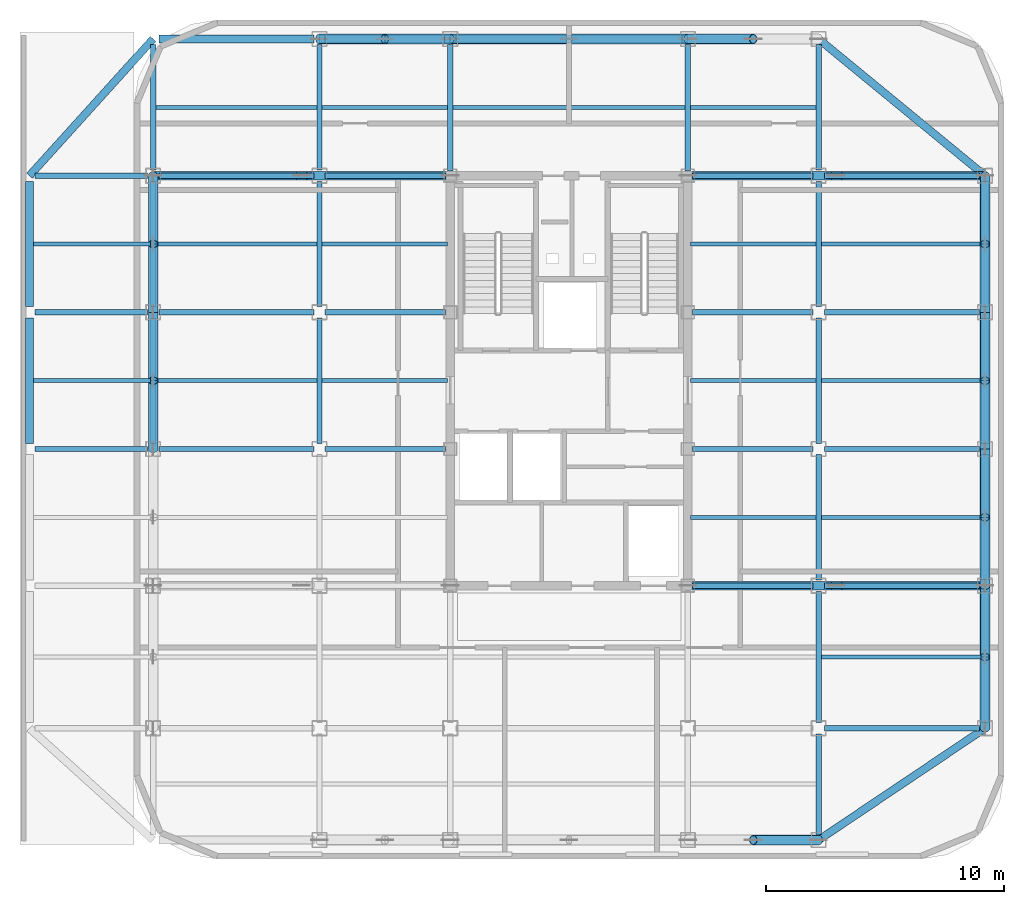
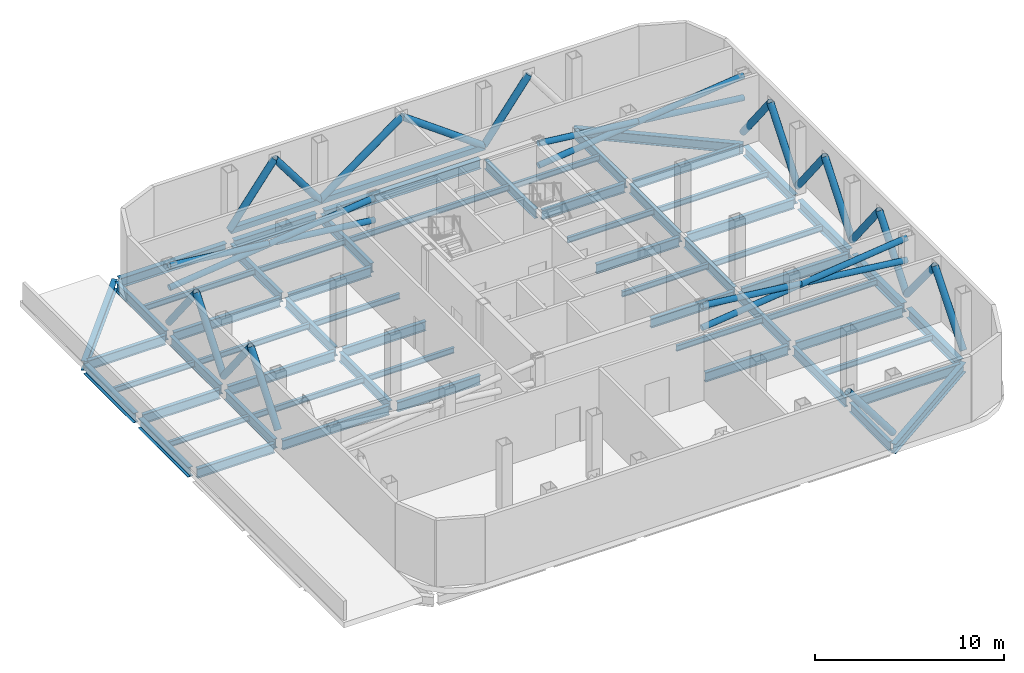
# One storey, part 2 of 7: 61 beams, 29 members.
"""IFC4 building model written with IfcOpenShell, lengths in metres."""

from ifc_helpers import new_model, si_unit, direction, frame, origin, origin_2d, place, context, subcontext, project, spatial, hollow_rectangle, hollow_circle, i_section, extrude, source, transform, mapped, material, material_profile, profile_set, type_object, element, save


model = new_model("IFC4")

# Units and contexts
model_context = context("Model", 3, precision=1e-05, world=origin(), true_north=direction((0.0, 1.0)))
body_context = subcontext(model_context, "Body", "Model", "MODEL_VIEW")
ifc_project = project(units=[si_unit("LENGTHUNIT", "METRE"), si_unit("AREAUNIT", "SQUARE_METRE"), si_unit("VOLUMEUNIT", "CUBIC_METRE"), si_unit("PLANEANGLEUNIT", "RADIAN"), si_unit("MASSUNIT", "GRAM", prefix="KILO")], contexts=[model_context])

# Site, building, storey
site_placement = place(None, origin())
site = spatial("IfcSite", under=ifc_project, at=site_placement, CompositionType="ELEMENT")
building_placement = place(site_placement, origin())
building = spatial("IfcBuilding", under=site, at=building_placement, Name="Kolveth Station Tower", CompositionType="ELEMENT")
storey_placement = place(building_placement, frame((0.0, 0.0, 215.60009765625)))
storey = spatial("IfcBuildingStorey", under=building, at=storey_placement, Name="L61", CompositionType="ELEMENT", Elevation=215.60009765625)

# Beams
ifc_material = material(Name="Steel S355", Category="steel")
ifc_material_profile_1 = material_profile(ifc_material, i_section(OverallWidth=0.323974609375, OverallDepth=0.611083984375, WebThickness=0.0126953125, FlangeThickness=0.01904296875, at=origin_2d()), Name="W610x155")
ifc_profile_set_1 = profile_set([ifc_material_profile_1], Name="Steel S355")
beam_type_1 = type_object("IfcBeamType", Name="Beam_SP2", PredefinedType="SPANDREL", material=ifc_profile_set_1)
shared_shape_1 = source(origin(), body_context, "Body", "SweptSolid", [
    extrude(i_section(OverallWidth=0.323974609375, OverallDepth=0.611083984375, WebThickness=0.0126953125, FlangeThickness=0.01904296875, at=origin_2d()), origin(), (0.0, 0.0, 1.0), 7.75244140625),
])
beam_1_placement = place(storey_placement, frame((6.0, 34.5, -0.66552734375), z_axis=(-0.670740965555, -0.74169168603, 0.0), x_axis=(0.74169168603, -0.670740965555, 0.0)))
element("IfcBeam", 1, at=beam_1_placement, inside=storey, type_object=beam_type_1, Name="L61 Corner Edge Girder BM-L61-CNR-NW", PredefinedType="SPANDREL", context=body_context, shape_type="MappedRepresentation", body=[
    mapped(shared_shape_1, transform((0.0, 0.0, 0.0), x_axis=(1.0, 0.0, 0.0), y_axis=(0.0, 1.0, 0.0), z_axis=(0.0, 0.0, 1.0), scale=1.0)),
])
shared_shape_2 = source(origin(), body_context, "Body", "SweptSolid", [
    extrude(i_section(OverallWidth=0.323974609375, OverallDepth=0.611083984375, WebThickness=0.0126953125, FlangeThickness=0.01904296875, at=origin_2d()), origin(), (0.0, 0.0, 1.0), 6.52001953125),
])
beam_2_placement = place(storey_placement, frame((6.239990234375, 34.5, -0.66552734375), z_axis=(1.0, 0.0, 0.0), x_axis=(0.0, 1.0, 0.0)))
element("IfcBeam", 2, at=beam_2_placement, inside=storey, type_object=beam_type_1, Name="L61 Perimeter Spandrel BM-L61-PN-1", PredefinedType="SPANDREL", context=body_context, shape_type="MappedRepresentation", body=[
    mapped(shared_shape_2, transform((0.0, 0.0, 0.0), x_axis=(1.0, 0.0, 0.0), y_axis=(0.0, 1.0, 0.0), z_axis=(0.0, 0.0, 1.0), scale=1.0)),
])
shared_shape_3 = source(origin(), body_context, "Body", "SweptSolid", [
    extrude(i_section(OverallWidth=0.323974609375, OverallDepth=0.611083984375, WebThickness=0.0126953125, FlangeThickness=0.01904296875, at=origin_2d()), origin(), (0.0, 0.0, 1.0), 5.02001953125),
])
beam_3_placement = place(storey_placement, frame((13.239990234375, 34.5, -0.66552734375), z_axis=(1.0, 0.0, 0.0), x_axis=(0.0, 1.0, 0.0)))
element("IfcBeam", 3, at=beam_3_placement, inside=storey, type_object=beam_type_1, Name="L61 Perimeter Spandrel BM-L61-PN-2", PredefinedType="SPANDREL", context=body_context, shape_type="MappedRepresentation", body=[
    mapped(shared_shape_3, transform((0.0, 0.0, 0.0), x_axis=(1.0, 0.0, 0.0), y_axis=(0.0, 1.0, 0.0), z_axis=(0.0, 0.0, 1.0), scale=1.0)),
])
shared_shape_4 = source(origin(), body_context, "Body", "SweptSolid", [
    extrude(i_section(OverallWidth=0.323974609375, OverallDepth=0.611083984375, WebThickness=0.0126953125, FlangeThickness=0.01904296875, at=origin_2d()), origin(), (0.0, 0.0, 1.0), 9.52001953125),
])
beam_4_placement = place(storey_placement, frame((18.739990234375, 34.5, -0.66552734375), z_axis=(1.0, 0.0, 0.0), x_axis=(0.0, 1.0, 0.0)))
element("IfcBeam", 4, at=beam_4_placement, inside=storey, type_object=beam_type_1, Name="L61 Perimeter Spandrel BM-L61-PN-3", PredefinedType="SPANDREL", context=body_context, shape_type="MappedRepresentation", body=[
    mapped(shared_shape_4, transform((0.0, 0.0, 0.0), x_axis=(1.0, 0.0, 0.0), y_axis=(0.0, 1.0, 0.0), z_axis=(0.0, 0.0, 1.0), scale=1.0)),
])
shared_shape_5 = source(origin(), body_context, "Body", "SweptSolid", [
    extrude(i_section(OverallWidth=0.323974609375, OverallDepth=0.611083984375, WebThickness=0.0126953125, FlangeThickness=0.01904296875, at=origin_2d()), origin(), (0.0, 0.0, 1.0), 5.52001953125),
])
beam_5_placement = place(storey_placement, frame((41.0, 5.739990234375, -0.66552734375), z_axis=(0.0, 1.0, 0.0), x_axis=(-1.0, 0.0, 0.0)))
element("IfcBeam", 5, at=beam_5_placement, inside=storey, type_object=beam_type_1, Name="L61 Perimeter Spandrel BM-L61-PE-1", PredefinedType="SPANDREL", context=body_context, shape_type="MappedRepresentation", body=[
    mapped(shared_shape_5, transform((0.0, 0.0, 0.0), x_axis=(1.0, 0.0, 0.0), y_axis=(0.0, 1.0, 0.0), z_axis=(0.0, 0.0, 1.0), scale=1.0)),
])
shared_shape_6 = source(origin(), body_context, "Body", "SweptSolid", [
    extrude(i_section(OverallWidth=0.323974609375, OverallDepth=0.611083984375, WebThickness=0.0126953125, FlangeThickness=0.01904296875, at=origin_2d()), origin(), (0.0, 0.0, 1.0), 5.27001953125),
])
for number, where, z_axis, x_axis, name in (
    (6, (0.800048828125, 17.489990234375, -0.66552734375), (0.0, 1.0, 0.0), (-1.0, 0.0, 0.0), "L61 Perimeter Spandrel BM-L61-PW-3"),
    (7, (0.800048828125, 23.239990234375, -0.66552734375), (0.0, 1.0, 0.0), (-1.0, 0.0, 0.0), "L61 Perimeter Spandrel BM-L61-PW-4"),
    (8, (41.0, 11.739990234375, -0.66552734375), (0.0, 1.0, 0.0), (-1.0, 0.0, 0.0), "L61 Perimeter Spandrel BM-L61-PE-2"),
    (9, (41.0, 17.489990234375, -0.66552734375), (0.0, 1.0, 0.0), (-1.0, 0.0, 0.0), "L61 Perimeter Spandrel BM-L61-PE-3"),
    (10, (41.0, 23.239990234375, -0.66552734375), (0.0, 1.0, 0.0), (-1.0, 0.0, 0.0), "L61 Perimeter Spandrel BM-L61-PE-4"),
):
    element("IfcBeam", number, at=place(storey_placement, frame(where, z_axis=z_axis, x_axis=x_axis)), inside=storey, type_object=beam_type_1, Name=name, PredefinedType="SPANDREL", context=body_context, shape_type="MappedRepresentation", body=[
        mapped(shared_shape_6, transform((0.0, 0.0, 0.0), x_axis=(1.0, 0.0, 0.0), y_axis=(0.0, 1.0, 0.0), z_axis=(0.0, 0.0, 1.0), scale=1.0)),
    ])
shared_shape_7 = source(origin(), body_context, "Body", "SweptSolid", [
    extrude(i_section(OverallWidth=0.323974609375, OverallDepth=0.611083984375, WebThickness=0.0126953125, FlangeThickness=0.01904296875, at=origin_2d()), origin(), (0.0, 0.0, 1.0), 8.431396484375),
])
beam_6_placement = place(storey_placement, frame((34.0, 0.800048828125, -0.66552734375), z_axis=(0.830223811004, 0.557430196206, 0.0), x_axis=(-0.557430196206, 0.830223811004, 0.0)))
element("IfcBeam", 11, at=beam_6_placement, inside=storey, type_object=beam_type_1, Name="L61 Corner Edge Girder BM-L61-CNR-SE", PredefinedType="SPANDREL", context=body_context, shape_type="MappedRepresentation", body=[
    mapped(shared_shape_7, transform((0.0, 0.0, 0.0), x_axis=(1.0, 0.0, 0.0), y_axis=(0.0, 1.0, 0.0), z_axis=(0.0, 0.0, 1.0), scale=1.0)),
])
shared_shape_8 = source(origin(), body_context, "Body", "SweptSolid", [
    extrude(i_section(OverallWidth=0.323974609375, OverallDepth=0.611083984375, WebThickness=0.0126953125, FlangeThickness=0.01904296875, at=origin_2d()), origin(), (0.0, 0.0, 1.0), 9.058837890625),
])
beam_7_placement = place(storey_placement, frame((41.0, 28.75, -0.66552734375), z_axis=(-0.772726254525, 0.63473942336, 0.0), x_axis=(-0.63473942336, -0.772726254525, 0.0)))
element("IfcBeam", 12, at=beam_7_placement, inside=storey, type_object=beam_type_1, Name="L61 Corner Edge Girder BM-L61-CNR-NE", PredefinedType="SPANDREL", context=body_context, shape_type="MappedRepresentation", body=[
    mapped(shared_shape_8, transform((0.0, 0.0, 0.0), x_axis=(1.0, 0.0, 0.0), y_axis=(0.0, 1.0, 0.0), z_axis=(0.0, 0.0, 1.0), scale=1.0)),
])
ifc_material_profile_2 = material_profile(ifc_material, i_section(OverallWidth=0.22900390625, OverallDepth=0.612060546875, WebThickness=0.011962890625, FlangeThickness=0.01953125, at=origin_2d()), Name="W610x125")
ifc_profile_set_2 = profile_set([ifc_material_profile_2], Name="Steel S355")
beam_type_2 = type_object("IfcBeamType", Name="Beam_B5", PredefinedType="BEAM", material=ifc_profile_set_2)
shared_shape_9 = source(origin(), body_context, "Body", "SweptSolid", [
    extrude(i_section(OverallWidth=0.22900390625, OverallDepth=0.612060546875, WebThickness=0.011962890625, FlangeThickness=0.01953125, at=origin_2d()), origin(), (0.0, 0.0, 1.0), 4.719970703125),
])
for number, where, z_axis, x_axis, name in (
    (13, (1.0400390625, 17.25, -0.666015625), (1.0, 0.0, 0.0), (0.0, 1.0, 0.0), "L61 Primary Girder BM-L61-GY172-1"),
    (14, (1.0400390625, 23.0, -0.666015625), (1.0, 0.0, 0.0), (0.0, 1.0, 0.0), "L61 Primary Girder BM-L61-GY230-1"),
    (15, (1.0400390625, 28.75, -0.666015625), (1.0, 0.0, 0.0), (0.0, 1.0, 0.0), "L61 Primary Girder BM-L61-GY287-1"),
):
    element("IfcBeam", number, at=place(storey_placement, frame(where, z_axis=z_axis, x_axis=x_axis)), inside=storey, type_object=beam_type_2, Name=name, PredefinedType="BEAM", context=body_context, shape_type="MappedRepresentation", body=[
        mapped(shared_shape_9, transform((0.0, 0.0, 0.0), x_axis=(1.0, 0.0, 0.0), y_axis=(0.0, 1.0, 0.0), z_axis=(0.0, 0.0, 1.0), scale=1.0)),
    ])
shared_shape_10 = source(origin(), body_context, "Body", "SweptSolid", [
    extrude(i_section(OverallWidth=0.22900390625, OverallDepth=0.612060546875, WebThickness=0.011962890625, FlangeThickness=0.01953125, at=origin_2d()), origin(), (0.0, 0.0, 1.0), 6.52001953125),
])
for number, where, z_axis, x_axis, name in (
    (16, (34.239990234375, 5.5, -0.666015625), (1.0, 0.0, 0.0), (0.0, 1.0, 0.0), "L61 Primary Girder BM-L61-GY55-6"),
    (17, (34.239990234375, 11.5, -0.666015625), (1.0, 0.0, 0.0), (0.0, 1.0, 0.0), "L61 Primary Girder BM-L61-GY115-6"),
    (18, (6.239990234375, 17.25, -0.666015625), (1.0, 0.0, 0.0), (0.0, 1.0, 0.0), "L61 Primary Girder BM-L61-GY172-2"),
    (19, (34.239990234375, 17.25, -0.666015625), (1.0, 0.0, 0.0), (0.0, 1.0, 0.0), "L61 Primary Girder BM-L61-GY172-6"),
    (20, (6.239990234375, 23.0, -0.666015625), (1.0, 0.0, 0.0), (0.0, 1.0, 0.0), "L61 Primary Girder BM-L61-GY230-2"),
    (21, (34.239990234375, 23.0, -0.666015625), (1.0, 0.0, 0.0), (0.0, 1.0, 0.0), "L61 Primary Girder BM-L61-GY230-6"),
    (22, (6.239990234375, 28.75, -0.666015625), (1.0, 0.0, 0.0), (0.0, 1.0, 0.0), "L61 Primary Girder BM-L61-GY287-2"),
    (23, (34.239990234375, 28.75, -0.666015625), (1.0, 0.0, 0.0), (0.0, 1.0, 0.0), "L61 Primary Girder BM-L61-GY287-6"),
):
    element("IfcBeam", number, at=place(storey_placement, frame(where, z_axis=z_axis, x_axis=x_axis)), inside=storey, type_object=beam_type_2, Name=name, PredefinedType="BEAM", context=body_context, shape_type="MappedRepresentation", body=[
        mapped(shared_shape_10, transform((0.0, 0.0, 0.0), x_axis=(1.0, 0.0, 0.0), y_axis=(0.0, 1.0, 0.0), z_axis=(0.0, 0.0, 1.0), scale=1.0)),
    ])
shared_shape_11 = source(origin(), body_context, "Body", "SweptSolid", [
    extrude(i_section(OverallWidth=0.22900390625, OverallDepth=0.612060546875, WebThickness=0.011962890625, FlangeThickness=0.01953125, at=origin_2d()), origin(), (0.0, 0.0, 1.0), 5.06005859375),
])
for number, where, z_axis, x_axis, name in (
    (24, (28.699951171875, 11.5, -0.666015625), (1.0, 0.0, 0.0), (0.0, 1.0, 0.0), "L61 Primary Girder BM-L61-GY115-5"),
    (25, (13.239990234375, 17.25, -0.666015625), (1.0, 0.0, 0.0), (0.0, 1.0, 0.0), "L61 Primary Girder BM-L61-GY172-3"),
    (26, (28.699951171875, 17.25, -0.666015625), (1.0, 0.0, 0.0), (0.0, 1.0, 0.0), "L61 Primary Girder BM-L61-GY172-5"),
    (27, (13.239990234375, 23.0, -0.666015625), (1.0, 0.0, 0.0), (0.0, 1.0, 0.0), "L61 Primary Girder BM-L61-GY230-3"),
    (28, (28.699951171875, 23.0, -0.666015625), (1.0, 0.0, 0.0), (0.0, 1.0, 0.0), "L61 Primary Girder BM-L61-GY230-5"),
    (29, (13.239990234375, 28.75, -0.666015625), (1.0, 0.0, 0.0), (0.0, 1.0, 0.0), "L61 Primary Girder BM-L61-GY287-3"),
    (30, (28.699951171875, 28.75, -0.666015625), (1.0, 0.0, 0.0), (0.0, 1.0, 0.0), "L61 Primary Girder BM-L61-GY287-5"),
):
    element("IfcBeam", number, at=place(storey_placement, frame(where, z_axis=z_axis, x_axis=x_axis)), inside=storey, type_object=beam_type_2, Name=name, PredefinedType="BEAM", context=body_context, shape_type="MappedRepresentation", body=[
        mapped(shared_shape_11, transform((0.0, 0.0, 0.0), x_axis=(1.0, 0.0, 0.0), y_axis=(0.0, 1.0, 0.0), z_axis=(0.0, 0.0, 1.0), scale=1.0)),
    ])
shared_shape_12 = source(origin(), body_context, "Body", "SweptSolid", [
    extrude(i_section(OverallWidth=0.22900390625, OverallDepth=0.612060546875, WebThickness=0.011962890625, FlangeThickness=0.01953125, at=origin_2d()), origin(), (0.0, 0.0, 1.0), 4.219970703125),
])
beam_8_placement = place(storey_placement, frame((34.0, 1.0400390625, -0.666015625), z_axis=(0.0, 1.0, 0.0), x_axis=(-1.0, 0.0, 0.0)))
element("IfcBeam", 31, at=beam_8_placement, inside=storey, type_object=beam_type_2, Name="L61 Primary Girder BM-L61-GX340-1", PredefinedType="BEAM", context=body_context, shape_type="MappedRepresentation", body=[
    mapped(shared_shape_12, transform((0.0, 0.0, 0.0), x_axis=(1.0, 0.0, 0.0), y_axis=(0.0, 1.0, 0.0), z_axis=(0.0, 0.0, 1.0), scale=1.0)),
])
shared_shape_13 = source(origin(), body_context, "Body", "SweptSolid", [
    extrude(i_section(OverallWidth=0.22900390625, OverallDepth=0.612060546875, WebThickness=0.011962890625, FlangeThickness=0.01953125, at=origin_2d()), origin(), (0.0, 0.0, 1.0), 5.52001953125),
])
beam_9_placement = place(storey_placement, frame((34.0, 5.739990234375, -0.666015625), z_axis=(0.0, 1.0, 0.0), x_axis=(-1.0, 0.0, 0.0)))
element("IfcBeam", 32, at=beam_9_placement, inside=storey, type_object=beam_type_2, Name="L61 Primary Girder BM-L61-GX340-2", PredefinedType="BEAM", context=body_context, shape_type="MappedRepresentation", body=[
    mapped(shared_shape_13, transform((0.0, 0.0, 0.0), x_axis=(1.0, 0.0, 0.0), y_axis=(0.0, 1.0, 0.0), z_axis=(0.0, 0.0, 1.0), scale=1.0)),
])
shared_shape_14 = source(origin(), body_context, "Body", "SweptSolid", [
    extrude(i_section(OverallWidth=0.22900390625, OverallDepth=0.612060546875, WebThickness=0.011962890625, FlangeThickness=0.01953125, at=origin_2d()), origin(), (0.0, 0.0, 1.0), 5.27001953125),
])
for number, where, z_axis, x_axis, name in (
    (33, (6.0, 17.489990234375, -0.666015625), (0.0, 1.0, 0.0), (-1.0, 0.0, 0.0), "L61 Primary Girder BM-L61-GX60-4"),
    (34, (6.0, 23.239990234375, -0.666015625), (0.0, 1.0, 0.0), (-1.0, 0.0, 0.0), "L61 Primary Girder BM-L61-GX60-5"),
    (35, (6.0, 28.989990234375, -0.666015625), (0.0, 1.0, 0.0), (-1.0, 0.0, 0.0), "L61 Primary Girder BM-L61-GX60-6"),
    (36, (13.0, 17.489990234375, -0.666015625), (0.0, 1.0, 0.0), (-1.0, 0.0, 0.0), "L61 Primary Girder BM-L61-GX130-4"),
    (37, (13.0, 23.239990234375, -0.666015625), (0.0, 1.0, 0.0), (-1.0, 0.0, 0.0), "L61 Primary Girder BM-L61-GX130-5"),
    (38, (13.0, 28.989990234375, -0.666015625), (0.0, 1.0, 0.0), (-1.0, 0.0, 0.0), "L61 Primary Girder BM-L61-GX130-6"),
    (39, (34.0, 11.739990234375, -0.666015625), (0.0, 1.0, 0.0), (-1.0, 0.0, 0.0), "L61 Primary Girder BM-L61-GX340-3"),
    (40, (34.0, 17.489990234375, -0.666015625), (0.0, 1.0, 0.0), (-1.0, 0.0, 0.0), "L61 Primary Girder BM-L61-GX340-4"),
    (41, (34.0, 23.239990234375, -0.666015625), (0.0, 1.0, 0.0), (-1.0, 0.0, 0.0), "L61 Primary Girder BM-L61-GX340-5"),
    (42, (34.0, 28.989990234375, -0.666015625), (0.0, 1.0, 0.0), (-1.0, 0.0, 0.0), "L61 Primary Girder BM-L61-GX340-6"),
):
    element("IfcBeam", number, at=place(storey_placement, frame(where, z_axis=z_axis, x_axis=x_axis)), inside=storey, type_object=beam_type_2, Name=name, PredefinedType="BEAM", context=body_context, shape_type="MappedRepresentation", body=[
        mapped(shared_shape_14, transform((0.0, 0.0, 0.0), x_axis=(1.0, 0.0, 0.0), y_axis=(0.0, 1.0, 0.0), z_axis=(0.0, 0.0, 1.0), scale=1.0)),
    ])
shared_shape_15 = source(origin(), body_context, "Body", "SweptSolid", [
    extrude(i_section(OverallWidth=0.22900390625, OverallDepth=0.612060546875, WebThickness=0.011962890625, FlangeThickness=0.01953125, at=origin_2d()), origin(), (0.0, 0.0, 1.0), 5.31005859375),
])
for number, where, z_axis, x_axis, name in (
    (43, (18.5, 28.949951171875, -0.666015625), (0.0, 1.0, 0.0), (-1.0, 0.0, 0.0), "L61 Primary Girder BM-L61-GX185-6"),
    (44, (28.5, 28.949951171875, -0.666015625), (0.0, 1.0, 0.0), (-1.0, 0.0, 0.0), "L61 Primary Girder BM-L61-GX285-6"),
):
    element("IfcBeam", number, at=place(storey_placement, frame(where, z_axis=z_axis, x_axis=x_axis)), inside=storey, type_object=beam_type_2, Name=name, PredefinedType="BEAM", context=body_context, shape_type="MappedRepresentation", body=[
        mapped(shared_shape_15, transform((0.0, 0.0, 0.0), x_axis=(1.0, 0.0, 0.0), y_axis=(0.0, 1.0, 0.0), z_axis=(0.0, 0.0, 1.0), scale=1.0)),
    ])
ifc_material_profile_3 = material_profile(ifc_material, i_section(OverallWidth=0.1708984375, OverallDepth=0.35205078125, WebThickness=0.0068359375, FlangeThickness=0.009765625, at=origin_2d()), Name="W360x44")
ifc_profile_set_3 = profile_set([ifc_material_profile_3], Name="Steel S355")
beam_type_3 = type_object("IfcBeamType", Name="Beam_J2", PredefinedType="JOIST", material=ifc_profile_set_3)
shared_shape_16 = source(origin(), body_context, "Body", "SweptSolid", [
    extrude(i_section(OverallWidth=0.1708984375, OverallDepth=0.35205078125, WebThickness=0.0068359375, FlangeThickness=0.009765625, at=origin_2d()), origin(), (0.0, 0.0, 1.0), 4.927490234375),
])
for number, where, z_axis, x_axis, name in (
    (45, (0.9599609375, 20.125, -0.5361328125), (1.0, 0.0, 0.0), (0.0, 1.0, 0.0), "L61 Secondary Joist JST-L61-1-4"),
    (46, (0.9599609375, 25.875, -0.5361328125), (1.0, 0.0, 0.0), (0.0, 1.0, 0.0), "L61 Secondary Joist JST-L61-1-5"),
):
    element("IfcBeam", number, at=place(storey_placement, frame(where, z_axis=z_axis, x_axis=x_axis)), inside=storey, type_object=beam_type_3, Name=name, PredefinedType="JOIST", context=body_context, shape_type="MappedRepresentation", body=[
        mapped(shared_shape_16, transform((0.0, 0.0, 0.0), x_axis=(1.0, 0.0, 0.0), y_axis=(0.0, 1.0, 0.0), z_axis=(0.0, 0.0, 1.0), scale=1.0)),
    ])
shared_shape_17 = source(origin(), body_context, "Body", "SweptSolid", [
    extrude(i_section(OverallWidth=0.1708984375, OverallDepth=0.35205078125, WebThickness=0.0068359375, FlangeThickness=0.009765625, at=origin_2d()), origin(), (0.0, 0.0, 1.0), 6.77490234375),
])
for number, where, z_axis, x_axis, name in (
    (47, (6.112548828125, 20.125, -0.5361328125), (1.0, 0.0, 0.0), (0.0, 1.0, 0.0), "L61 Secondary Joist JST-L61-2-4"),
    (48, (6.112548828125, 25.875, -0.5361328125), (1.0, 0.0, 0.0), (0.0, 1.0, 0.0), "L61 Secondary Joist JST-L61-2-5"),
    (49, (6.112548828125, 31.625, -0.5361328125), (1.0, 0.0, 0.0), (0.0, 1.0, 0.0), "L61 Secondary Joist JST-L61-2-6"),
):
    element("IfcBeam", number, at=place(storey_placement, frame(where, z_axis=z_axis, x_axis=x_axis)), inside=storey, type_object=beam_type_3, Name=name, PredefinedType="JOIST", context=body_context, shape_type="MappedRepresentation", body=[
        mapped(shared_shape_17, transform((0.0, 0.0, 0.0), x_axis=(1.0, 0.0, 0.0), y_axis=(0.0, 1.0, 0.0), z_axis=(0.0, 0.0, 1.0), scale=1.0)),
    ])
shared_shape_18 = source(origin(), body_context, "Body", "SweptSolid", [
    extrude(i_section(OverallWidth=0.1708984375, OverallDepth=0.35205078125, WebThickness=0.0068359375, FlangeThickness=0.009765625, at=origin_2d()), origin(), (0.0, 0.0, 1.0), 5.27490234375),
])
for number, where, z_axis, x_axis, name in (
    (50, (13.112548828125, 20.125, -0.5361328125), (1.0, 0.0, 0.0), (0.0, 1.0, 0.0), "L61 Secondary Joist JST-L61-3-4"),
    (51, (13.112548828125, 25.875, -0.5361328125), (1.0, 0.0, 0.0), (0.0, 1.0, 0.0), "L61 Secondary Joist JST-L61-3-5"),
    (52, (13.112548828125, 31.625, -0.5361328125), (1.0, 0.0, 0.0), (0.0, 1.0, 0.0), "L61 Secondary Joist JST-L61-3-6"),
    (53, (28.612548828125, 14.375, -0.5361328125), (1.0, 0.0, 0.0), (0.0, 1.0, 0.0), "L61 Secondary Joist JST-L61-5-3"),
    (54, (28.612548828125, 20.125, -0.5361328125), (1.0, 0.0, 0.0), (0.0, 1.0, 0.0), "L61 Secondary Joist JST-L61-5-4"),
    (55, (28.612548828125, 25.875, -0.5361328125), (1.0, 0.0, 0.0), (0.0, 1.0, 0.0), "L61 Secondary Joist JST-L61-5-5"),
    (56, (28.612548828125, 31.625, -0.5361328125), (1.0, 0.0, 0.0), (0.0, 1.0, 0.0), "L61 Secondary Joist JST-L61-5-6"),
):
    element("IfcBeam", number, at=place(storey_placement, frame(where, z_axis=z_axis, x_axis=x_axis)), inside=storey, type_object=beam_type_3, Name=name, PredefinedType="JOIST", context=body_context, shape_type="MappedRepresentation", body=[
        mapped(shared_shape_18, transform((0.0, 0.0, 0.0), x_axis=(1.0, 0.0, 0.0), y_axis=(0.0, 1.0, 0.0), z_axis=(0.0, 0.0, 1.0), scale=1.0)),
    ])
shared_shape_19 = source(origin(), body_context, "Body", "SweptSolid", [
    extrude(i_section(OverallWidth=0.1708984375, OverallDepth=0.35205078125, WebThickness=0.0068359375, FlangeThickness=0.009765625, at=origin_2d()), origin(), (0.0, 0.0, 1.0), 9.77490234375),
])
beam_10_placement = place(storey_placement, frame((18.612548828125, 31.625, -0.5361328125), z_axis=(1.0, 0.0, 0.0), x_axis=(0.0, 1.0, 0.0)))
element("IfcBeam", 57, at=beam_10_placement, inside=storey, type_object=beam_type_3, Name="L61 Secondary Joist JST-L61-4-6", PredefinedType="JOIST", context=body_context, shape_type="MappedRepresentation", body=[
    mapped(shared_shape_19, transform((0.0, 0.0, 0.0), x_axis=(1.0, 0.0, 0.0), y_axis=(0.0, 1.0, 0.0), z_axis=(0.0, 0.0, 1.0), scale=1.0)),
])
shared_shape_20 = source(origin(), body_context, "Body", "SweptSolid", [
    extrude(i_section(OverallWidth=0.1708984375, OverallDepth=0.35205078125, WebThickness=0.0068359375, FlangeThickness=0.009765625, at=origin_2d()), origin(), (0.0, 0.0, 1.0), 6.7275390625),
])
for number, where, z_axis, x_axis, name in (
    (58, (34.112548828125, 8.5, -0.5361328125), (1.0, 0.0, 0.0), (0.0, 1.0, 0.0), "L61 Secondary Joist JST-L61-6-2"),
    (59, (34.112548828125, 14.375, -0.5361328125), (1.0, 0.0, 0.0), (0.0, 1.0, 0.0), "L61 Secondary Joist JST-L61-6-3"),
    (60, (34.112548828125, 20.125, -0.5361328125), (1.0, 0.0, 0.0), (0.0, 1.0, 0.0), "L61 Secondary Joist JST-L61-6-4"),
    (61, (34.112548828125, 25.875, -0.5361328125), (1.0, 0.0, 0.0), (0.0, 1.0, 0.0), "L61 Secondary Joist JST-L61-6-5"),
):
    element("IfcBeam", number, at=place(storey_placement, frame(where, z_axis=z_axis, x_axis=x_axis)), inside=storey, type_object=beam_type_3, Name=name, PredefinedType="JOIST", context=body_context, shape_type="MappedRepresentation", body=[
        mapped(shared_shape_20, transform((0.0, 0.0, 0.0), x_axis=(1.0, 0.0, 0.0), y_axis=(0.0, 1.0, 0.0), z_axis=(0.0, 0.0, 1.0), scale=1.0)),
    ])

# Members
ifc_material_profile_4 = material_profile(ifc_material, hollow_circle(Radius=0.202880859375, WallThickness=0.02001953125, at=origin_2d()), Name="CHS406x20")
ifc_profile_set_4 = profile_set([ifc_material_profile_4], Name="Steel S355")
member_type_1 = type_object("IfcMemberType", Name="Mem_BR3", PredefinedType="BRACE", material=ifc_profile_set_4)
shared_shape_21 = source(origin(), body_context, "Body", "SweptSolid", [
    extrude(hollow_circle(Radius=0.202880859375, WallThickness=0.02001953125, at=origin_2d()), origin(), (0.0, 0.0, 1.0), 4.55419921875),
])
for number, where, z_axis, x_axis, name in (
    (62, (34.0, 0.800048828125, 0.349853515625), (-0.603844270188, 0.0, 0.797102312982), (0.0, -1.0, 0.0), "L61 Belt Truss Brace S3B"),
    (63, (13.0, 34.5, 0.349853515625), (0.603844270188, 0.0, 0.797102312982), (0.0, 1.0, 0.0), "L61 Belt Truss Brace N1A"),
    (64, (18.5, 34.5, 0.349853515625), (-0.603844270188, 0.0, 0.797102312982), (0.0, -1.0, 0.0), "L61 Belt Truss Brace N1B"),
    (65, (28.5, 34.5, 0.349853515625), (0.603844270188, 0.0, 0.797102312982), (0.0, 1.0, 0.0), "L61 Belt Truss Brace N3A"),
):
    element("IfcMember", number, at=place(storey_placement, frame(where, z_axis=z_axis, x_axis=x_axis)), inside=storey, type_object=member_type_1, Name=name, PredefinedType="BRACE", context=body_context, shape_type="MappedRepresentation", body=[
        mapped(shared_shape_21, transform((0.0, 0.0, 0.0), x_axis=(1.0, 0.0, 0.0), y_axis=(0.0, 1.0, 0.0), z_axis=(0.0, 0.0, 1.0), scale=1.0)),
    ])
ifc_material_profile_5 = material_profile(ifc_material, hollow_rectangle(XDim=0.35009765625, YDim=0.35009765625, WallThickness=0.02001953125, at=origin_2d()), Name="HSS350x350x20")
ifc_profile_set_5 = profile_set([ifc_material_profile_5], Name="Steel S355")
member_type_2 = type_object("IfcMemberType", Name="Mem_CH2", PredefinedType="CHORD", material=ifc_profile_set_5)
shared_shape_22 = source(origin(), body_context, "Body", "SweptSolid", [
    extrude(hollow_rectangle(XDim=0.35009765625, YDim=0.35009765625, WallThickness=0.02001953125, at=origin_2d()), origin(), (0.0, 0.0, 1.0), 5.5),
])
member_1_placement = place(storey_placement, frame((13.0, 34.5, 0.349853515625), z_axis=(1.0, 0.0, 0.0), x_axis=(0.0, 1.0, 0.0)))
element("IfcMember", 66, at=member_1_placement, inside=storey, type_object=member_type_2, Name="L61 Belt Truss Bottom Chord N1", PredefinedType="CHORD", context=body_context, shape_type="MappedRepresentation", body=[
    mapped(shared_shape_22, transform((0.0, 0.0, 0.0), x_axis=(1.0, 0.0, 0.0), y_axis=(0.0, 1.0, 0.0), z_axis=(0.0, 0.0, 1.0), scale=1.0)),
])
shared_shape_23 = source(origin(), body_context, "Body", "SweptSolid", [
    extrude(hollow_circle(Radius=0.202880859375, WallThickness=0.02001953125, at=origin_2d()), origin(), (0.0, 0.0, 1.0), 6.1787109375),
])
for number, where, z_axis, x_axis, name in (
    (67, (18.5, 34.5, 0.349853515625), (0.809215945086, 0.0, 0.587511322631), (0.0, 1.0, 0.0), "L61 Belt Truss Brace N2A"),
    (68, (28.5, 34.5, 0.349853515625), (-0.809215945086, 0.0, 0.587511322631), (0.0, -1.0, 0.0), "L61 Belt Truss Brace N2B"),
):
    element("IfcMember", number, at=place(storey_placement, frame(where, z_axis=z_axis, x_axis=x_axis)), inside=storey, type_object=member_type_1, Name=name, PredefinedType="BRACE", context=body_context, shape_type="MappedRepresentation", body=[
        mapped(shared_shape_23, transform((0.0, 0.0, 0.0), x_axis=(1.0, 0.0, 0.0), y_axis=(0.0, 1.0, 0.0), z_axis=(0.0, 0.0, 1.0), scale=1.0)),
    ])
shared_shape_24 = source(origin(), body_context, "Body", "SweptSolid", [
    extrude(hollow_rectangle(XDim=0.35009765625, YDim=0.35009765625, WallThickness=0.02001953125, at=origin_2d()), origin(), (0.0, 0.0, 1.0), 10.0),
])
member_2_placement = place(storey_placement, frame((18.5, 34.5, 0.349853515625), z_axis=(1.0, 0.0, 0.0), x_axis=(0.0, 1.0, 0.0)))
element("IfcMember", 69, at=member_2_placement, inside=storey, type_object=member_type_2, Name="L61 Belt Truss Bottom Chord N2", PredefinedType="CHORD", context=body_context, shape_type="MappedRepresentation", body=[
    mapped(shared_shape_24, transform((0.0, 0.0, 0.0), x_axis=(1.0, 0.0, 0.0), y_axis=(0.0, 1.0, 0.0), z_axis=(0.0, 0.0, 1.0), scale=1.0)),
])
shared_shape_25 = source(origin(), body_context, "Body", "SweptSolid", [
    extrude(hollow_circle(Radius=0.202880859375, WallThickness=0.02001953125, at=origin_2d()), origin(), (0.0, 0.0, 1.0), 4.709228515625),
])
for number, where, z_axis, x_axis, name in (
    (70, (41.0, 5.5, 0.349853515625), (0.0, 0.63703282461, 0.770836675548), (-1.0, 0.0, 0.0), "L61 Belt Truss Brace E1A"),
    (71, (41.0, 11.5, 0.349853515625), (0.0, -0.63703282461, 0.770836675548), (1.0, 0.0, 0.0), "L61 Belt Truss Brace E1B"),
):
    element("IfcMember", number, at=place(storey_placement, frame(where, z_axis=z_axis, x_axis=x_axis)), inside=storey, type_object=member_type_1, Name=name, PredefinedType="BRACE", context=body_context, shape_type="MappedRepresentation", body=[
        mapped(shared_shape_25, transform((0.0, 0.0, 0.0), x_axis=(1.0, 0.0, 0.0), y_axis=(0.0, 1.0, 0.0), z_axis=(0.0, 0.0, 1.0), scale=1.0)),
    ])
shared_shape_26 = source(origin(), body_context, "Body", "SweptSolid", [
    extrude(hollow_circle(Radius=0.202880859375, WallThickness=0.02001953125, at=origin_2d()), origin(), (0.0, 0.0, 1.0), 4.630615234375),
])
for number, where, z_axis, x_axis, name in (
    (72, (6.0, 17.25, 0.349853515625), (0.0, 0.620855528504, 0.783925004529), (-1.0, 0.0, 0.0), "L61 Belt Truss Brace W3A"),
    (73, (6.0, 23.0, 0.349853515625), (0.0, -0.620855528504, 0.783925004529), (1.0, 0.0, 0.0), "L61 Belt Truss Brace W3B"),
    (74, (6.0, 23.0, 0.349853515625), (0.0, 0.620855528504, 0.783925004529), (-1.0, 0.0, 0.0), "L61 Belt Truss Brace W4A"),
    (75, (6.0, 28.75, 0.349853515625), (0.0, -0.620855528504, 0.783925004529), (1.0, 0.0, 0.0), "L61 Belt Truss Brace W4B"),
    (76, (41.0, 11.5, 0.349853515625), (0.0, 0.620855528504, 0.783925004529), (-1.0, 0.0, 0.0), "L61 Belt Truss Brace E2A"),
    (77, (41.0, 17.25, 0.349853515625), (0.0, -0.620855528504, 0.783925004529), (1.0, 0.0, 0.0), "L61 Belt Truss Brace E2B"),
    (78, (41.0, 17.25, 0.349853515625), (0.0, 0.620855528504, 0.783925004529), (-1.0, 0.0, 0.0), "L61 Belt Truss Brace E3A"),
    (79, (41.0, 23.0, 0.349853515625), (0.0, -0.620855528504, 0.783925004529), (1.0, 0.0, 0.0), "L61 Belt Truss Brace E3B"),
    (80, (41.0, 23.0, 0.349853515625), (0.0, 0.620855528504, 0.783925004529), (-1.0, 0.0, 0.0), "L61 Belt Truss Brace E4A"),
    (81, (41.0, 28.75, 0.349853515625), (0.0, -0.620855528504, 0.783925004529), (1.0, 0.0, 0.0), "L61 Belt Truss Brace E4B"),
):
    element("IfcMember", number, at=place(storey_placement, frame(where, z_axis=z_axis, x_axis=x_axis)), inside=storey, type_object=member_type_1, Name=name, PredefinedType="BRACE", context=body_context, shape_type="MappedRepresentation", body=[
        mapped(shared_shape_26, transform((0.0, 0.0, 0.0), x_axis=(1.0, 0.0, 0.0), y_axis=(0.0, 1.0, 0.0), z_axis=(0.0, 0.0, 1.0), scale=1.0)),
    ])
ifc_material_profile_6 = material_profile(ifc_material, hollow_circle(Radius=0.177978515625, WallThickness=0.01611328125, at=origin_2d()), Name="CHS356x16")
ifc_profile_set_6 = profile_set([ifc_material_profile_6], Name="Steel S355")
member_type_3 = type_object("IfcMemberType", Name="Mem_BR4", PredefinedType="BRACE", material=ifc_profile_set_6)
shared_shape_27 = source(origin(), body_context, "Body", "SweptSolid", [
    extrude(hollow_circle(Radius=0.177978515625, WallThickness=0.01611328125, at=origin_2d()), origin(), (0.0, 0.0, 1.0), 12.58154296875),
])
for number, where, z_axis, x_axis, name in (
    (82, (28.5, 11.5, 2.5498046875), (0.993518279283, 0.0, 0.113672462501), (0.0, 1.0, 0.0), "L61 Outrigger Continuous Diagonal 2A"),
    (83, (6.0, 28.75, 2.5498046875), (0.993518279283, 0.0, 0.113672462501), (0.0, 1.0, 0.0), "L61 Outrigger Continuous Diagonal 3A"),
    (84, (28.5, 28.75, 2.5498046875), (0.993518279283, 0.0, 0.113672462501), (0.0, 1.0, 0.0), "L61 Outrigger Continuous Diagonal 4A"),
):
    element("IfcMember", number, at=place(storey_placement, frame(where, z_axis=z_axis, x_axis=x_axis)), inside=storey, type_object=member_type_3, Name=name, PredefinedType="BRACE", context=body_context, shape_type="MappedRepresentation", body=[
        mapped(shared_shape_27, transform((0.0, 0.0, 0.0), x_axis=(1.0, 0.0, 0.0), y_axis=(0.0, 1.0, 0.0), z_axis=(0.0, 0.0, 1.0), scale=1.0)),
    ])
shared_shape_28 = source(origin(), body_context, "Body", "SweptSolid", [
    extrude(hollow_circle(Radius=0.177978515625, WallThickness=0.01611328125, at=origin_2d()), origin(), (0.0, 0.0, 1.0), 6.07080078125),
])
for number, where, z_axis, x_axis, name in (
    (85, (41.0, 11.5, 2.5498046875), (-0.993516459802, 0.0, 0.113688363969), (0.0, -1.0, 0.0), "L61 Outrigger Split Lower Diagonal 2B1"),
    (86, (34.531494140625, 11.5, 3.289794921875), (-0.993516459802, 0.0, 0.113688363969), (0.0, -1.0, 0.0), "L61 Outrigger Split Upper Diagonal 2B2"),
    (87, (18.5, 28.75, 2.5498046875), (-0.993516459802, 0.0, 0.113688363969), (0.0, -1.0, 0.0), "L61 Outrigger Split Lower Diagonal 3B1"),
    (88, (12.031494140625, 28.75, 3.289794921875), (-0.993516459802, 0.0, 0.113688363969), (0.0, -1.0, 0.0), "L61 Outrigger Split Upper Diagonal 3B2"),
    (89, (41.0, 28.75, 2.5498046875), (-0.993516459802, 0.0, 0.113688363969), (0.0, -1.0, 0.0), "L61 Outrigger Split Lower Diagonal 4B1"),
    (90, (34.531494140625, 28.75, 3.289794921875), (-0.993516459802, 0.0, 0.113688363969), (0.0, -1.0, 0.0), "L61 Outrigger Split Upper Diagonal 4B2"),
):
    element("IfcMember", number, at=place(storey_placement, frame(where, z_axis=z_axis, x_axis=x_axis)), inside=storey, type_object=member_type_3, Name=name, PredefinedType="BRACE", context=body_context, shape_type="MappedRepresentation", body=[
        mapped(shared_shape_28, transform((0.0, 0.0, 0.0), x_axis=(1.0, 0.0, 0.0), y_axis=(0.0, 1.0, 0.0), z_axis=(0.0, 0.0, 1.0), scale=1.0)),
    ])

save(model, "model.ifc")
